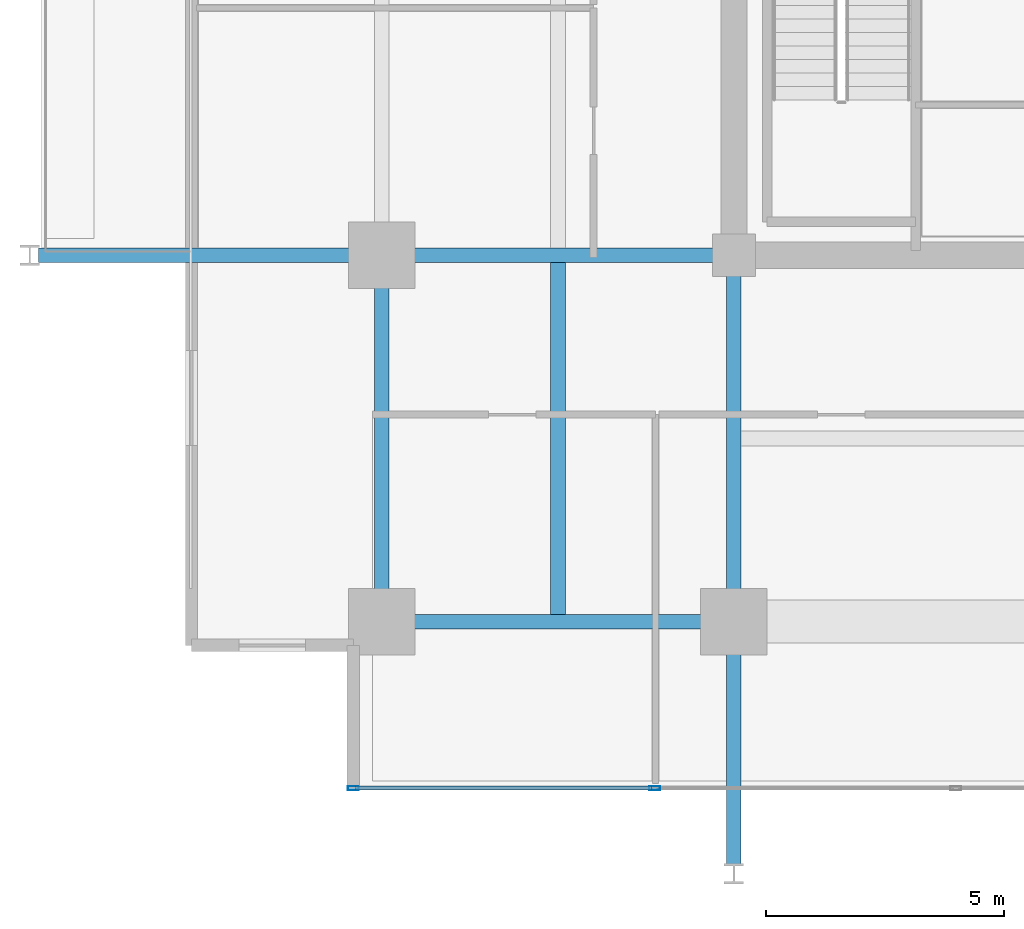
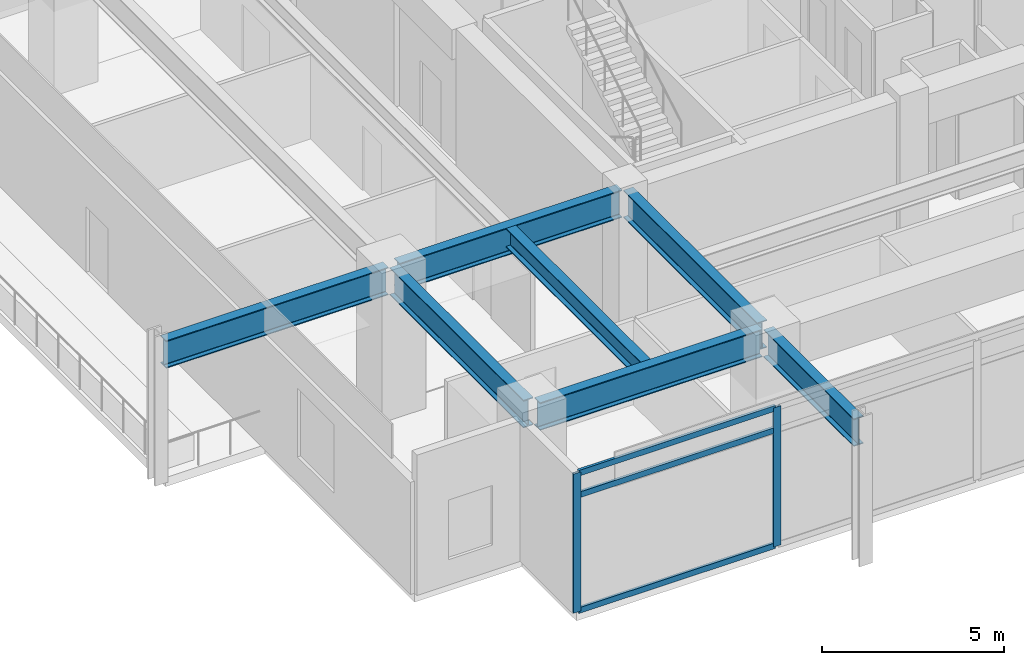
# One storey, part 2 of 19: 7 beams, 5 members, 1 element without a shape of its own.
"""IFC4 building model written with IfcOpenShell, lengths in metres."""

from ifc_helpers import new_model, si_unit, direction, frame, origin, origin_2d, place, context, subcontext, project, spatial, hollow_rectangle, i_section, extrude, material, material_profile, profile_set, type_object, element, aggregate, save


model = new_model("IFC4")

# Units and contexts
model_context = context("Model", 3, precision=1e-05, world=origin(), true_north=direction((0.0, 1.0)))
body_context = subcontext(model_context, "Body", "Model", "MODEL_VIEW")
ifc_project = project(units=[si_unit("LENGTHUNIT", "METRE"), si_unit("AREAUNIT", "SQUARE_METRE"), si_unit("VOLUMEUNIT", "CUBIC_METRE"), si_unit("PLANEANGLEUNIT", "RADIAN"), si_unit("MASSUNIT", "GRAM", prefix="KILO")], contexts=[model_context])

# Site, building, storey
site_placement = place(None, origin())
site = spatial("IfcSite", under=ifc_project, at=site_placement, CompositionType="ELEMENT")
building_placement = place(site_placement, origin())
building = spatial("IfcBuilding", under=site, at=building_placement, Name="Kovane Verandah Tower", CompositionType="ELEMENT")
storey_placement = place(building_placement, frame((0.0, 0.0, 184.39990234375)))
storey = spatial("IfcBuildingStorey", under=building, at=storey_placement, Name="L43", CompositionType="ELEMENT", Elevation=184.39990234375)

# Beams
ifc_material_1 = material(Name="Steel S460", Category="steel")
ifc_material_profile_1 = material_profile(ifc_material_1, i_section(OverallWidth=0.311279296875, OverallDepth=0.6357421875, WebThickness=0.018310546875, FlangeThickness=0.031494140625, FilletRadius=0.0166015625, at=origin_2d()), Name="UB610x305x238")
ifc_profile_set_1 = profile_set([ifc_material_profile_1], Name="Steel S460")
beam_type_1 = type_object("IfcBeamType", Name="BM-UB610x238", PredefinedType="BEAM", material=ifc_profile_set_1)
beam_1_placement = place(storey_placement, frame((25.300048828125, 10.951904296875, 4.382080078125), z_axis=(0.0, 1.0, 0.0), x_axis=(-1.0, 0.0, 0.0)))
element("IfcBeam", 1, at=beam_1_placement, inside=storey, type_object=beam_type_1, Name="L43 Secondary Composite Joist J-SW1", PredefinedType="BEAM", context=body_context, shape_type="SweptSolid", body=[
    extrude(i_section(OverallWidth=0.311279296875, OverallDepth=0.6357421875, WebThickness=0.018310546875, FlangeThickness=0.031494140625, FilletRadius=0.0166015625, at=origin_2d()), origin(), (0.0, 0.0, 1.0), 7.396240234375),
])
ifc_material_profile_2 = material_profile(ifc_material_1, i_section(OverallWidth=0.3076171875, OverallDepth=0.926513671875, WebThickness=0.01953125, FlangeThickness=0.031982421875, FilletRadius=0.01904296875, at=origin_2d()), Name="UB914x305x289")
ifc_profile_set_2 = profile_set([ifc_material_profile_2], Name="Steel S460")
beam_type_2 = type_object("IfcBeamType", Name="BM-UB914x289", PredefinedType="BEAM", material=ifc_profile_set_2)
beam_2_placement = place(storey_placement, frame((21.780029296875, 10.800048828125, 4.23681640625), z_axis=(1.0, 0.0, 0.0), x_axis=(0.0, 1.0, 0.0)))
element("IfcBeam", 2, at=beam_2_placement, inside=storey, type_object=beam_type_2, Name="L43 Primary Tower Girder G-RS1", PredefinedType="BEAM", context=body_context, shape_type="SweptSolid", body=[
    extrude(i_section(OverallWidth=0.3076171875, OverallDepth=0.926513671875, WebThickness=0.01953125, FlangeThickness=0.031982421875, FilletRadius=0.01904296875, at=origin_2d()), origin(), (0.0, 0.0, 1.0), 7.0400390625),
])
beam_3_placement = place(storey_placement, frame((21.60009765625, 10.97998046875, 4.23681640625), z_axis=(0.0, 1.0, 0.0), x_axis=(-1.0, 0.0, 0.0)))
element("IfcBeam", 3, at=beam_3_placement, inside=storey, type_object=beam_type_2, Name="L43 Primary Tower Girder G-RW1", PredefinedType="BEAM", context=body_context, shape_type="SweptSolid", body=[
    extrude(i_section(OverallWidth=0.3076171875, OverallDepth=0.926513671875, WebThickness=0.01953125, FlangeThickness=0.031982421875, FilletRadius=0.01904296875, at=origin_2d()), origin(), (0.0, 0.0, 1.0), 7.340087890625),
])
beam_4_placement = place(storey_placement, frame((28.820068359375, 18.5, 4.23681640625), z_axis=(-1.0, 0.0, 0.0), x_axis=(0.0, -1.0, 0.0)))
element("IfcBeam", 4, at=beam_4_placement, inside=storey, type_object=beam_type_2, Name="L43 Primary Tower Girder G-W1", PredefinedType="BEAM", context=body_context, shape_type="SweptSolid", body=[
    extrude(i_section(OverallWidth=0.3076171875, OverallDepth=0.926513671875, WebThickness=0.01953125, FlangeThickness=0.031982421875, FilletRadius=0.01904296875, at=origin_2d()), origin(), (0.0, 0.0, 1.0), 7.0400390625),
])
beam_5_placement = place(storey_placement, frame((29.0, 18.320068359375, 4.23681640625), z_axis=(0.0, -1.0, 0.0), x_axis=(1.0, 0.0, 0.0)))
element("IfcBeam", 5, at=beam_5_placement, inside=storey, type_object=beam_type_2, Name="L43 Primary Tower Girder G-S1", PredefinedType="BEAM", context=body_context, shape_type="SweptSolid", body=[
    extrude(i_section(OverallWidth=0.3076171875, OverallDepth=0.926513671875, WebThickness=0.01953125, FlangeThickness=0.031982421875, FilletRadius=0.01904296875, at=origin_2d()), origin(), (0.0, 0.0, 1.0), 7.340087890625),
])
beam_6_placement = place(storey_placement, frame((21.419921875, 18.5, 4.23681640625), z_axis=(-1.0, 0.0, 0.0), x_axis=(0.0, -1.0, 0.0)))
element("IfcBeam", 6, at=beam_6_placement, inside=storey, type_object=beam_type_2, Name="L43 Primary Tower Girder G-VW1", PredefinedType="BEAM", context=body_context, shape_type="SweptSolid", body=[
    extrude(i_section(OverallWidth=0.3076171875, OverallDepth=0.926513671875, WebThickness=0.01953125, FlangeThickness=0.031982421875, FilletRadius=0.01904296875, at=origin_2d()), origin(), (0.0, 0.0, 1.0), 7.0400390625),
])
beam_7_placement = place(storey_placement, frame((29.0, 10.6201171875, 4.23681640625), z_axis=(0.0, -1.0, 0.0), x_axis=(1.0, 0.0, 0.0)))
element("IfcBeam", 7, at=beam_7_placement, inside=storey, type_object=beam_type_2, Name="L43 Primary Tower Girder G-VS1", PredefinedType="BEAM", context=body_context, shape_type="SweptSolid", body=[
    extrude(i_section(OverallWidth=0.3076171875, OverallDepth=0.926513671875, WebThickness=0.01953125, FlangeThickness=0.031982421875, FilletRadius=0.01904296875, at=origin_2d()), origin(), (0.0, 0.0, 1.0), 4.940185546875),
])

# Curtain wall, members
ifc_material_2 = material(Name="Champagne Anodised Aluminium Frame with Low-E Clear Laminated Glass", Category="aluminium")
curtain_wall_type = type_object("IfcCurtainWallType", Name="CW-SYS-04-WAIST", PredefinedType="NOTDEFINED", material=ifc_material_2)
curtain_wall_placement = place(storey_placement, origin())
curtain_wall = element("IfcCurtainWall", 8, at=curtain_wall_placement, inside=storey, type_object=curtain_wall_type, Name="L43 S Unitised Curtain Wall", PredefinedType="NOTDEFINED")
ifc_material_3 = material(Name="Champagne Anodised Aluminium 6063-T6", Category="aluminium")
ifc_material_profile_3 = material_profile(ifc_material_3, hollow_rectangle(XDim=0.0849609375, YDim=0.22998046875, WallThickness=0.00390625, at=origin_2d()), Name="AL85x230x4")
ifc_profile_set_3 = profile_set([ifc_material_profile_3], Name="Champagne Anodised Aluminium 6063-T6")
member_type_1 = type_object("IfcMemberType", Name="CW-MUL-85x230", PredefinedType="MULLION", material=ifc_profile_set_3)
member_1_placement = place(storey_placement, frame((21.0, 7.300048828125, 0.02001953125), z_axis=(0.0, 0.0, 1.0), x_axis=(0.0, -1.0, 0.0)))
member_1 = element("IfcMember", 9, at=member_1_placement, type_object=member_type_1, Name="L43 S Unitised Curtain Wall Mullion 1", PredefinedType="MULLION", context=body_context, shape_type="SweptSolid", body=[
    extrude(hollow_rectangle(XDim=0.0849609375, YDim=0.22998046875, WallThickness=0.00390625, at=origin_2d()), origin(), (0.0, 0.0, 1.0), 4.66015625),
])
member_2_placement = place(storey_placement, frame((27.333251953125, 7.300048828125, 0.02001953125), z_axis=(0.0, 0.0, 1.0), x_axis=(0.0, -1.0, 0.0)))
member_2 = element("IfcMember", 10, at=member_2_placement, type_object=member_type_1, Name="L43 S Unitised Curtain Wall Mullion 2", PredefinedType="MULLION", context=body_context, shape_type="SweptSolid", body=[
    extrude(hollow_rectangle(XDim=0.0849609375, YDim=0.22998046875, WallThickness=0.00390625, at=origin_2d()), origin(), (0.0, 0.0, 1.0), 4.66015625),
])
ifc_material_profile_4 = material_profile(ifc_material_3, hollow_rectangle(XDim=0.0849609375, YDim=0.18994140625, WallThickness=0.00390625, at=origin_2d()), Name="AL85x190x4")
ifc_profile_set_4 = profile_set([ifc_material_profile_4], Name="Champagne Anodised Aluminium 6063-T6")
member_type_2 = type_object("IfcMemberType", Name="CW-TRN-85x190", PredefinedType="USERDEFINED", material=ifc_profile_set_4)
member_3_placement = place(storey_placement, frame((21.050048828125, 7.300048828125, 0.050048828125), z_axis=(1.0, 0.0, 0.0), x_axis=(0.0, 1.0, 0.0)))
member_3 = element("IfcMember", 11, at=member_3_placement, type_object=member_type_2, Name="L43 S Unitised Curtain Wall Transom TB Bay 1", ObjectType="TRANSOM", PredefinedType="USERDEFINED", context=body_context, shape_type="SweptSolid", body=[
    extrude(hollow_rectangle(XDim=0.0849609375, YDim=0.18994140625, WallThickness=0.00390625, at=origin_2d()), origin(), (0.0, 0.0, 1.0), 6.233154296875),
])
member_4_placement = place(storey_placement, frame((21.050048828125, 7.300048828125, 3.920166015625), z_axis=(1.0, 0.0, 0.0), x_axis=(0.0, 1.0, 0.0)))
member_4 = element("IfcMember", 12, at=member_4_placement, type_object=member_type_2, Name="L43 S Unitised Curtain Wall Transom TM Bay 1", ObjectType="TRANSOM", PredefinedType="USERDEFINED", context=body_context, shape_type="SweptSolid", body=[
    extrude(hollow_rectangle(XDim=0.0849609375, YDim=0.18994140625, WallThickness=0.00390625, at=origin_2d()), origin(), (0.0, 0.0, 1.0), 6.233154296875),
])
member_5_placement = place(storey_placement, frame((21.050048828125, 7.300048828125, 4.650146484375), z_axis=(1.0, 0.0, 0.0), x_axis=(0.0, 1.0, 0.0)))
member_5 = element("IfcMember", 13, at=member_5_placement, type_object=member_type_2, Name="L43 S Unitised Curtain Wall Transom TT Bay 1", ObjectType="TRANSOM", PredefinedType="USERDEFINED", context=body_context, shape_type="SweptSolid", body=[
    extrude(hollow_rectangle(XDim=0.0849609375, YDim=0.18994140625, WallThickness=0.00390625, at=origin_2d()), origin(), (0.0, 0.0, 1.0), 6.233154296875),
])
aggregate(curtain_wall, [member_1, member_2, member_3, member_4, member_5])

save(model, "model.ifc")
